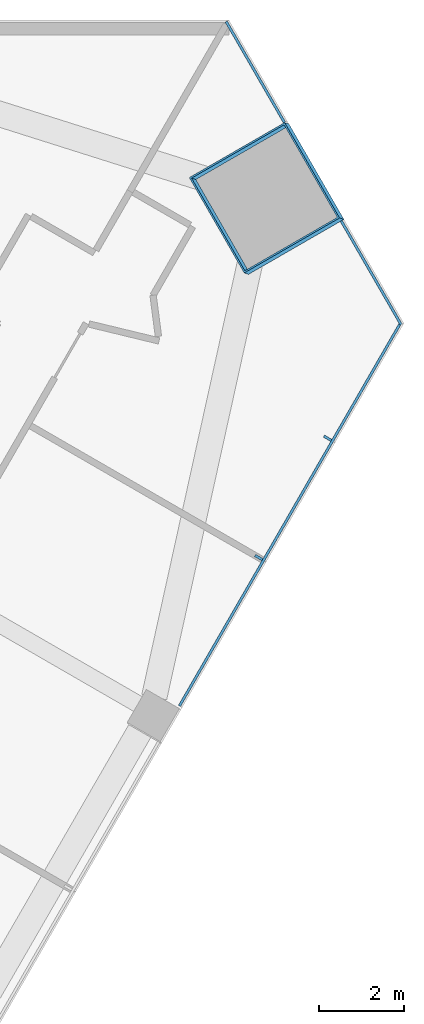
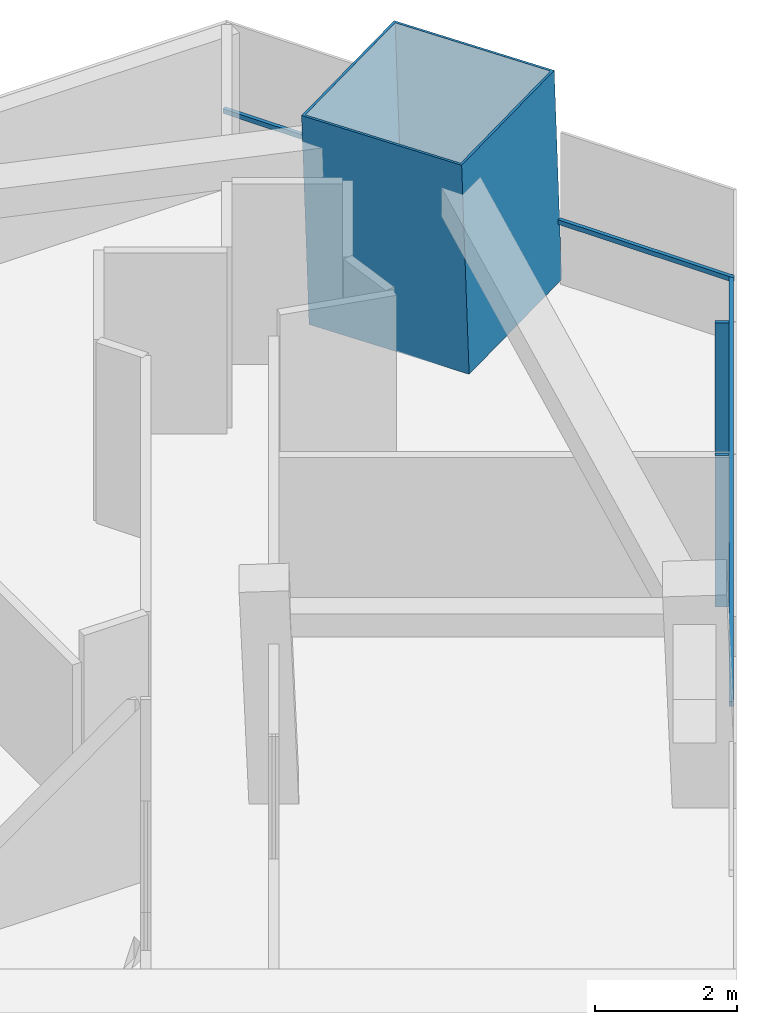
# One storey, part 7 of 14: 6 members, 2 elements without a shape of their own.
"""IFC4 building model written with IfcOpenShell, lengths in metres."""

from ifc_helpers import new_model, si_unit, direction, frame, origin, origin_2d, place, context, subcontext, project, spatial, rectangle, hollow_rectangle, extrude, material, layer, layer_set, material_profile, profile_set, type_object, element, aggregate, save


model = new_model("IFC4")

# Units and contexts
model_context = context("Model", 3, precision=1e-05, world=origin(), true_north=direction((0.0, 1.0)))
body_context = subcontext(model_context, "Body", "Model", "MODEL_VIEW")
ifc_project = project(units=[si_unit("LENGTHUNIT", "METRE"), si_unit("AREAUNIT", "SQUARE_METRE"), si_unit("VOLUMEUNIT", "CUBIC_METRE"), si_unit("PLANEANGLEUNIT", "RADIAN"), si_unit("MASSUNIT", "GRAM", prefix="KILO")], contexts=[model_context])

# Site, building, storey
site_placement = place(None, origin())
site = spatial("IfcSite", under=ifc_project, at=site_placement, CompositionType="ELEMENT")
building_placement = place(site_placement, origin())
building = spatial("IfcBuilding", under=site, at=building_placement, Name="Altiplano Prism Tower", CompositionType="ELEMENT")
storey_placement = place(building_placement, frame((0.0, 0.0, 108.0)))
storey = spatial("IfcBuildingStorey", under=building, at=storey_placement, Name="L27", CompositionType="ELEMENT", Elevation=108.0)

# Curtain wall, members
ifc_material_1 = material(Name="Aluminium and glass", Category="aluminium")
ifc_layer = layer(ifc_material_1, 0.303955078125)
ifc_layer_set = layer_set([ifc_layer], Name="Aluminium and glass")
curtain_wall_type = type_object("IfcCurtainWallType", Name="CW2 lounge-band unitised glazing", PredefinedType="NOTDEFINED", material=ifc_layer_set)
curtain_wall_1_placement = place(storey_placement, origin())
curtain_wall_1 = element("IfcCurtainWall", 1, at=curtain_wall_1_placement, inside=storey, type_object=curtain_wall_type, Name="CW2 curtain wall south-east face L27", PredefinedType="NOTDEFINED")
ifc_material_2 = material(Name="Aluminium", Category="aluminium")
ifc_material_profile_1 = material_profile(ifc_material_2, rectangle(XDim=0.199951171875, YDim=0.06005859375, at=origin_2d()), Name="CW2 mullion 60 x 200")
ifc_profile_set_1 = profile_set([ifc_material_profile_1], Name="Aluminium")
member_type_1 = type_object("IfcMemberType", Name="CW2 mullion 60 x 200", PredefinedType="MULLION", material=ifc_profile_set_1)
member_1_placement = place(storey_placement, frame((110.210205078125, 92.307861328125, 0.0), z_axis=(0.0, 0.0, 1.0), x_axis=(-0.866025409675, 0.499999989797, 0.0)))
member_1 = element("IfcMember", 2, at=member_1_placement, type_object=member_type_1, Name="CW2 mullion", PredefinedType="MULLION", context=body_context, shape_type="SweptSolid", body=[
    extrude(rectangle(XDim=0.199951171875, YDim=0.06005859375, at=origin_2d()), origin(), (0.0, 0.0, 1.0), 2.60009765625),
])
member_2_placement = place(storey_placement, frame((111.83642578125, 95.124755859375, 0.0), z_axis=(0.0, 0.0, 1.0), x_axis=(-0.866025409675, 0.499999989797, 0.0)))
member_2 = element("IfcMember", 3, at=member_2_placement, type_object=member_type_1, Name="CW2 mullion", PredefinedType="MULLION", context=body_context, shape_type="SweptSolid", body=[
    extrude(rectangle(XDim=0.199951171875, YDim=0.06005859375, at=origin_2d()), origin(), (0.0, 0.0, 1.0), 2.60009765625),
])
ifc_material_profile_2 = material_profile(ifc_material_2, rectangle(XDim=0.06005859375, YDim=0.080078125, at=origin_2d()), Name="CW2 transom 80 x 60")
ifc_profile_set_2 = profile_set([ifc_material_profile_2], Name="Aluminium")
member_type_2 = type_object("IfcMemberType", Name="CW2 transom 80 x 60", PredefinedType="USERDEFINED", material=ifc_profile_set_2)
member_3_placement = place(storey_placement, frame((108.33740234375, 88.80419921875, 1.10009765625), z_axis=(0.500011605857, 0.866018703036, 0.0), x_axis=(-0.866018703036, 0.500011605857, 0.0)))
member_3 = element("IfcMember", 4, at=member_3_placement, type_object=member_type_2, Name="CW2 transom", ObjectType="TRANSOM", PredefinedType="USERDEFINED", context=body_context, shape_type="SweptSolid", body=[
    extrude(rectangle(XDim=0.06005859375, YDim=0.080078125, at=origin_2d()), origin(), (0.0, 0.0, 1.0), 10.475830078125),
])
aggregate(curtain_wall_1, [member_1, member_2, member_3])

curtain_wall_2_placement = place(storey_placement, origin())
curtain_wall_2 = element("IfcCurtainWall", 5, at=curtain_wall_2_placement, inside=storey, type_object=curtain_wall_type, Name="CW2 curtain wall north-east chamfer L27", PredefinedType="NOTDEFINED")
member_4_placement = place(storey_placement, frame((113.575439453125, 97.802490234375, 1.10009765625), z_axis=(-0.500020697973, 0.866013453474, 0.0), x_axis=(-0.866013453474, -0.500020697973, 0.0)))
member_4 = element("IfcMember", 6, at=member_4_placement, type_object=member_type_2, Name="CW2 transom", ObjectType="TRANSOM", PredefinedType="USERDEFINED", context=body_context, shape_type="SweptSolid", body=[
    extrude(rectangle(XDim=0.06005859375, YDim=0.080078125, at=origin_2d()), origin(), (0.0, 0.0, 1.0), 2.83447265625),
])
member_5_placement = place(storey_placement, frame((110.818359375, 102.577880859375, 1.10009765625), z_axis=(-0.500057523261, 0.865992190167, 0.0), x_axis=(-0.865992190167, -0.500057523261, 0.0)))
member_5 = element("IfcMember", 7, at=member_5_placement, type_object=member_type_2, Name="CW2 transom", ObjectType="TRANSOM", PredefinedType="USERDEFINED", context=body_context, shape_type="SweptSolid", body=[
    extrude(rectangle(XDim=0.06005859375, YDim=0.080078125, at=origin_2d()), origin(), (0.0, 0.0, 1.0), 2.754150390625),
])
aggregate(curtain_wall_2, [member_4, member_5])

# Member
ifc_material_3 = material(Name="Steel S460", Category="steel")
ifc_material_profile_3 = material_profile(ifc_material_3, hollow_rectangle(XDim=2.60009765625, YDim=2.60009765625, WallThickness=0.0400390625, at=origin_2d()), Name="Mega column tube 2600")
ifc_profile_set_3 = profile_set([ifc_material_profile_3], Name="Steel S460")
member_type_3 = type_object("IfcMemberType", Name="Mega column tube 2600", PredefinedType="POST", material=ifc_profile_set_3)
member_6_placement = place(storey_placement, frame((110.446533203125, 100.769775390625, 0.0), z_axis=(-0.028401796786, 0.009286506348, 0.999553449666), x_axis=(0.498886293123, -0.86638243417, 0.022224857609)))
element("IfcMember", 8, at=member_6_placement, inside=storey, type_object=member_type_3, Name="Mega column tube M2 L27", PredefinedType="POST", context=body_context, shape_type="SweptSolid", body=[
    extrude(hollow_rectangle(XDim=2.60009765625, YDim=2.60009765625, WallThickness=0.0400390625, at=origin_2d()), origin(), (0.0, 0.0, 1.0), 3.601806640625),
])

save(model, "model.ifc")
